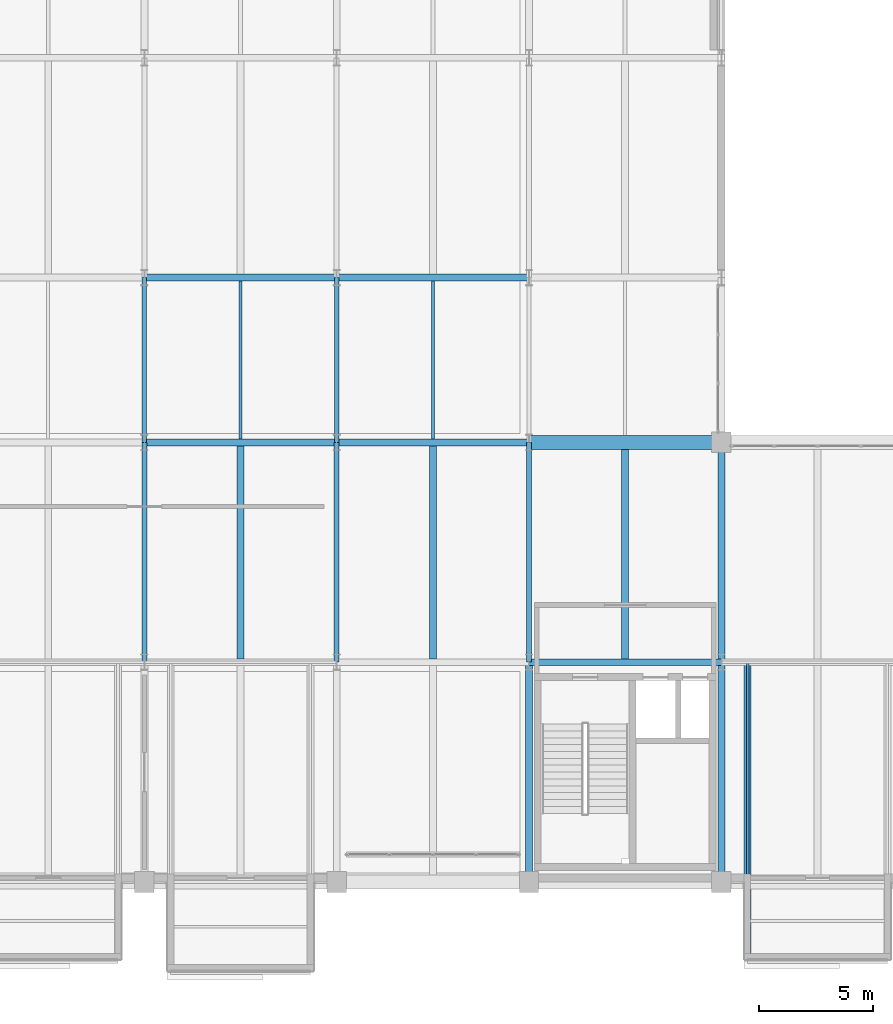
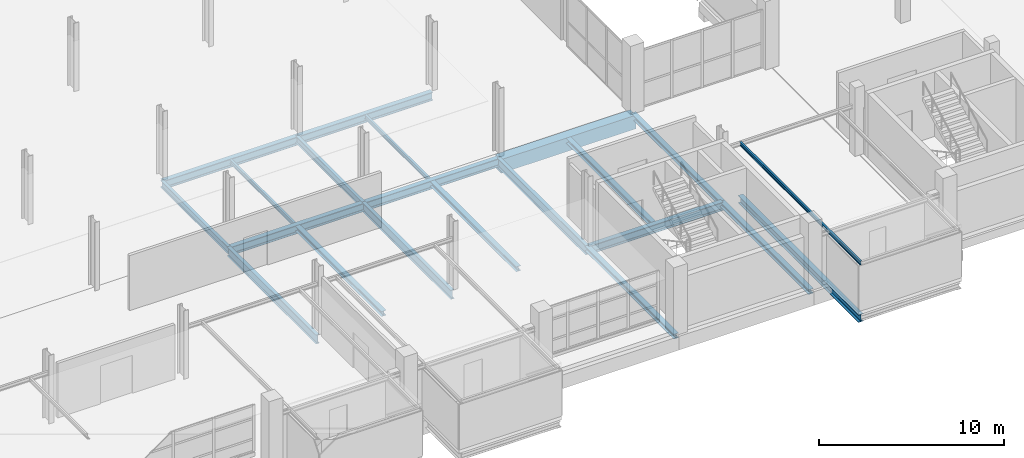
# One storey, part 29 of 113: 21 beams.
"""IFC4 building model written with IfcOpenShell, lengths in metres."""

from ifc_helpers import new_model, si_unit, direction, frame, origin, origin_2d, place, context, subcontext, project, spatial, rectangle, i_section, extrude, material, material_profile, profile_set, type_object, element, save


model = new_model("IFC4")

# Units and contexts
model_context = context("Model", 3, precision=1e-05, world=origin(), true_north=direction((0.0, 1.0)))
body_context = subcontext(model_context, "Body", "Model", "MODEL_VIEW")
ifc_project = project(units=[si_unit("LENGTHUNIT", "METRE"), si_unit("AREAUNIT", "SQUARE_METRE"), si_unit("VOLUMEUNIT", "CUBIC_METRE"), si_unit("PLANEANGLEUNIT", "RADIAN"), si_unit("MASSUNIT", "GRAM", prefix="KILO")], contexts=[model_context])

# Site, building, storey
site_placement = place(None, origin())
site = spatial("IfcSite", under=ifc_project, at=site_placement, CompositionType="ELEMENT")
building_placement = place(site_placement, origin())
building = spatial("IfcBuilding", under=site, at=building_placement, Name="Veltarok Museum of Natural Sciences", CompositionType="ELEMENT")
storey_placement = place(building_placement, frame((0.0, 0.0, 8.39990234375)))
storey = spatial("IfcBuildingStorey", under=building, at=storey_placement, Name="L01", CompositionType="ELEMENT", Elevation=8.39990234375)

# Beams
ifc_material_1 = material(Name="Steel S355J2", Category="steel")
ifc_material_profile_1 = material_profile(ifc_material_1, i_section(OverallWidth=0.300048828125, OverallDepth=0.5, WebThickness=0.014404296875, FlangeThickness=0.028076171875, FilletRadius=0.027099609375, at=origin_2d()), Name="HEB 500")
ifc_profile_set_1 = profile_set([ifc_material_profile_1], Name="Steel S355J2")
beam_type_1 = type_object("IfcBeamType", Name="Cabinet Box Cantilever Girder HEB 500", PredefinedType="BEAM", material=ifc_profile_set_1)
beam_1_placement = place(storey_placement, frame((99.949951171875, -3.39990234375, -0.5), z_axis=(0.0, 1.0, 0.0), x_axis=(-1.0, 0.0, 0.0)))
element("IfcBeam", 1, at=beam_1_placement, inside=storey, type_object=beam_type_1, Name="Cabinet Cantilever Girder DB-05-1", PredefinedType="BEAM", context=body_context, shape_type="SweptSolid", body=[
    extrude(i_section(OverallWidth=0.300048828125, OverallDepth=0.5, WebThickness=0.014404296875, FlangeThickness=0.028076171875, FilletRadius=0.027099609375, at=origin_2d()), origin(), (0.0, 0.0, 1.0), 13.0),
])
ifc_material_profile_2 = material_profile(ifc_material_1, i_section(OverallWidth=0.1201171875, OverallDepth=0.239990234375, WebThickness=0.006103515625, FlangeThickness=0.009765625, FilletRadius=0.014892578125, at=origin_2d()), Name="IPE 240")
ifc_profile_set_2 = profile_set([ifc_material_profile_2], Name="Steel S355J2")
beam_type_2 = type_object("IfcBeamType", Name="Cabinet Box Secondary Joist IPE 240", PredefinedType="JOIST", material=ifc_profile_set_2)
beam_2_placement = place(storey_placement, frame((99.949951171875, -3.39990234375, 3.130126953125), z_axis=(0.0, 1.0, 0.0), x_axis=(-1.0, 0.0, 0.0)))
element("IfcBeam", 2, at=beam_2_placement, inside=storey, type_object=beam_type_2, Name="Cabinet Roof Rafter DB-05-1", PredefinedType="JOIST", context=body_context, shape_type="SweptSolid", body=[
    extrude(i_section(OverallWidth=0.1201171875, OverallDepth=0.239990234375, WebThickness=0.006103515625, FlangeThickness=0.009765625, FilletRadius=0.014892578125, at=origin_2d()), origin(), (0.0, 0.0, 1.0), 13.0),
])
ifc_material_profile_3 = material_profile(ifc_material_1, i_section(OverallWidth=0.300048828125, OverallDepth=0.330078125, WebThickness=0.009521484375, FlangeThickness=0.0166015625, FilletRadius=0.027099609375, at=origin_2d()), Name="HEA 340")
ifc_profile_set_3 = profile_set([ifc_material_profile_3], Name="Steel S355J2")
beam_type_3 = type_object("IfcBeamType", Name="Exhibition Floor Joist HEA 340", PredefinedType="JOIST", material=ifc_profile_set_3)
for number, where, z_axis, x_axis, name in (
    (3, (77.800048828125, 9.748046875, -0.414794921875), (0.0, 1.0, 0.0), (-1.0, 0.0, 0.0), "Secondary Joist BM-J08 L01 9-10/B-C.1"),
    (4, (86.199951171875, 9.748046875, -0.414794921875), (0.0, 1.0, 0.0), (-1.0, 0.0, 0.0), "Secondary Joist BM-J08 L01 10-11/B-C.1"),
):
    element("IfcBeam", number, at=place(storey_placement, frame(where, z_axis=z_axis, x_axis=x_axis)), inside=storey, type_object=beam_type_3, Name=name, PredefinedType="JOIST", context=body_context, shape_type="SweptSolid", body=[
        extrude(i_section(OverallWidth=0.300048828125, OverallDepth=0.330078125, WebThickness=0.009521484375, FlangeThickness=0.0166015625, FilletRadius=0.027099609375, at=origin_2d()), origin(), (0.0, 0.0, 1.0), 9.303955078125),
    ])
beam_3_placement = place(storey_placement, frame((94.60009765625, 9.748046875, -0.414794921875), z_axis=(0.0, 1.0, 0.0), x_axis=(-1.0, 0.0, 0.0)))
element("IfcBeam", 5, at=beam_3_placement, inside=storey, type_object=beam_type_3, Name="Secondary Joist BM-J08 L01 11-12/B-C.1", PredefinedType="JOIST", context=body_context, shape_type="SweptSolid", body=[
    extrude(i_section(OverallWidth=0.300048828125, OverallDepth=0.330078125, WebThickness=0.009521484375, FlangeThickness=0.0166015625, FilletRadius=0.027099609375, at=origin_2d()), origin(), (0.0, 0.0, 1.0), 9.154052734375),
])
ifc_material_2 = material(Name="Concrete C40/50", Category="concrete")
ifc_material_profile_4 = material_profile(ifc_material_2, rectangle(XDim=0.60009765625, YDim=0.89990234375, at=origin_2d()), Name="RC 600x900")
ifc_profile_set_4 = profile_set([ifc_material_profile_4], Name="Concrete C40/50")
beam_type_4 = type_object("IfcBeamType", Name="Exposed Cabinet Perimeter Spandrel RC 600x900", PredefinedType="SPANDREL", material=ifc_profile_set_4)
beam_4_placement = place(storey_placement, frame((90.39990234375, 19.199951171875, -0.699951171875), z_axis=(1.0, 0.0, 0.0), x_axis=(0.0, 1.0, 0.0)))
element("IfcBeam", 6, at=beam_4_placement, inside=storey, type_object=beam_type_4, Name="Beam BM-SP01 L01 11-12/C", PredefinedType="SPANDREL", context=body_context, shape_type="SweptSolid", body=[
    extrude(rectangle(XDim=0.60009765625, YDim=0.89990234375, at=origin_2d()), origin(), (0.0, 0.0, 1.0), 8.400146484375),
])
ifc_material_profile_5 = material_profile(ifc_material_1, i_section(OverallWidth=0.300048828125, OverallDepth=0.550048828125, WebThickness=0.014892578125, FlangeThickness=0.029052734375, FilletRadius=0.027099609375, at=origin_2d()), Name="HEB 550")
ifc_profile_set_5 = profile_set([ifc_material_profile_5], Name="Steel S355J2")
beam_type_5 = type_object("IfcBeamType", Name="Gallery Girder HEB 550", PredefinedType="BEAM", material=ifc_profile_set_5)
beam_5_placement = place(storey_placement, frame((90.39990234375, 9.60009765625, -0.52490234375), z_axis=(1.0, 0.0, 0.0), x_axis=(0.0, 1.0, 0.0)))
element("IfcBeam", 7, at=beam_5_placement, inside=storey, type_object=beam_type_5, Name="Beam BM-G10 L01 11-12/B", PredefinedType="BEAM", context=body_context, shape_type="SweptSolid", body=[
    extrude(i_section(OverallWidth=0.300048828125, OverallDepth=0.550048828125, WebThickness=0.014892578125, FlangeThickness=0.029052734375, FilletRadius=0.027099609375, at=origin_2d()), origin(), (0.0, 0.0, 1.0), 8.400146484375),
])
for number, where, z_axis, x_axis, name in (
    (8, (73.60009765625, 19.199951171875, -0.52490234375), (1.0, 0.0, 0.0), (0.0, 1.0, 0.0), "Beam BM-G10 L01 9-10/C"),
    (9, (82.0, 19.199951171875, -0.52490234375), (1.0, 0.0, 0.0), (0.0, 1.0, 0.0), "Beam BM-G10 L01 10-11/C"),
    (10, (73.60009765625, 26.39990234375, -0.52490234375), (1.0, 0.0, 0.0), (0.0, 1.0, 0.0), "Beam BM-G10 L01 9-10/D"),
    (11, (82.0, 26.39990234375, -0.52490234375), (1.0, 0.0, 0.0), (0.0, 1.0, 0.0), "Beam BM-G10 L01 10-11/D"),
):
    element("IfcBeam", number, at=place(storey_placement, frame(where, z_axis=z_axis, x_axis=x_axis)), inside=storey, type_object=beam_type_5, Name=name, PredefinedType="BEAM", context=body_context, shape_type="SweptSolid", body=[
        extrude(i_section(OverallWidth=0.300048828125, OverallDepth=0.550048828125, WebThickness=0.014892578125, FlangeThickness=0.029052734375, FilletRadius=0.027099609375, at=origin_2d()), origin(), (0.0, 0.0, 1.0), 8.39990234375),
    ])
ifc_material_profile_6 = material_profile(ifc_material_1, i_section(OverallWidth=0.18994140625, OverallDepth=0.449951171875, WebThickness=0.009521484375, FlangeThickness=0.0146484375, FilletRadius=0.02099609375, at=origin_2d()), Name="IPE 450")
ifc_profile_set_6 = profile_set([ifc_material_profile_6], Name="Steel S355J2")
beam_type_6 = type_object("IfcBeamType", Name="Laboratory Floor Girder IPE 450", PredefinedType="BEAM", material=ifc_profile_set_6)
for number, where, z_axis, x_axis, name in (
    (12, (73.60009765625, 19.199951171875, -0.474853515625), (0.0, 1.0, 0.0), (-1.0, 0.0, 0.0), "Beam BM-G05 L01 9/C-D"),
    (13, (82.0, 19.199951171875, -0.474853515625), (0.0, 1.0, 0.0), (-1.0, 0.0, 0.0), "Beam BM-G05 L01 10/C-D"),
):
    element("IfcBeam", number, at=place(storey_placement, frame(where, z_axis=z_axis, x_axis=x_axis)), inside=storey, type_object=beam_type_6, Name=name, PredefinedType="BEAM", context=body_context, shape_type="SweptSolid", body=[
        extrude(i_section(OverallWidth=0.18994140625, OverallDepth=0.449951171875, WebThickness=0.009521484375, FlangeThickness=0.0146484375, FilletRadius=0.02099609375, at=origin_2d()), origin(), (0.0, 0.0, 1.0), 7.199951171875),
    ])
ifc_material_profile_7 = material_profile(ifc_material_1, i_section(OverallWidth=0.300048828125, OverallDepth=0.320068359375, WebThickness=0.011474609375, FlangeThickness=0.0205078125, FilletRadius=0.027099609375, at=origin_2d()), Name="HEB 320")
ifc_profile_set_7 = profile_set([ifc_material_profile_7], Name="Steel S355J2")
beam_type_7 = type_object("IfcBeamType", Name="Perimeter Sawtooth Spandrel HEB 320", PredefinedType="SPANDREL", material=ifc_profile_set_7)
for number, where, z_axis, x_axis, name in (
    (14, (90.39990234375, 0.0, -0.409912109375), (0.0, 1.0, 0.0), (-1.0, 0.0, 0.0), "Beam BM-SP06 L01 11/A-B"),
    (15, (98.800048828125, 0.0, -0.409912109375), (0.0, 1.0, 0.0), (-1.0, 0.0, 0.0), "Beam BM-SP06 L01 12/A-B"),
):
    element("IfcBeam", number, at=place(storey_placement, frame(where, z_axis=z_axis, x_axis=x_axis)), inside=storey, type_object=beam_type_7, Name=name, PredefinedType="SPANDREL", context=body_context, shape_type="SweptSolid", body=[
        extrude(i_section(OverallWidth=0.300048828125, OverallDepth=0.320068359375, WebThickness=0.011474609375, FlangeThickness=0.0205078125, FilletRadius=0.027099609375, at=origin_2d()), origin(), (0.0, 0.0, 1.0), 9.60009765625),
    ])
beam_6_placement = place(storey_placement, frame((98.800048828125, 9.60009765625, -0.409912109375), z_axis=(0.0, 1.0, 0.0), x_axis=(-1.0, 0.0, 0.0)))
element("IfcBeam", 16, at=beam_6_placement, inside=storey, type_object=beam_type_7, Name="Beam BM-SP06 L01 12/B-C", PredefinedType="SPANDREL", context=body_context, shape_type="SweptSolid", body=[
    extrude(i_section(OverallWidth=0.300048828125, OverallDepth=0.320068359375, WebThickness=0.011474609375, FlangeThickness=0.0205078125, FilletRadius=0.027099609375, at=origin_2d()), origin(), (0.0, 0.0, 1.0), 9.599853515625),
])
ifc_material_profile_8 = material_profile(ifc_material_1, i_section(OverallWidth=0.219970703125, OverallDepth=0.60009765625, WebThickness=0.011962890625, FlangeThickness=0.01904296875, FilletRadius=0.02392578125, at=origin_2d()), Name="IPE 600")
ifc_profile_set_8 = profile_set([ifc_material_profile_8], Name="Steel S355J2")
beam_type_8 = type_object("IfcBeamType", Name="Primary Museum Girder IPE 600", PredefinedType="BEAM", material=ifc_profile_set_8)
for number, where, z_axis, x_axis, name in (
    (17, (73.60009765625, 9.60009765625, -0.5498046875), (0.0, 1.0, 0.0), (-1.0, 0.0, 0.0), "Beam BM-G02 L01 9/B-C"),
    (18, (82.0, 9.60009765625, -0.5498046875), (0.0, 1.0, 0.0), (-1.0, 0.0, 0.0), "Beam BM-G02 L01 10/B-C"),
    (19, (90.39990234375, 9.60009765625, -0.5498046875), (0.0, 1.0, 0.0), (-1.0, 0.0, 0.0), "Beam BM-G02 L01 11/B-C"),
):
    element("IfcBeam", number, at=place(storey_placement, frame(where, z_axis=z_axis, x_axis=x_axis)), inside=storey, type_object=beam_type_8, Name=name, PredefinedType="BEAM", context=body_context, shape_type="SweptSolid", body=[
        extrude(i_section(OverallWidth=0.219970703125, OverallDepth=0.60009765625, WebThickness=0.011962890625, FlangeThickness=0.01904296875, FilletRadius=0.02392578125, at=origin_2d()), origin(), (0.0, 0.0, 1.0), 9.599853515625),
    ])
ifc_material_profile_9 = material_profile(ifc_material_1, i_section(OverallWidth=0.135009765625, OverallDepth=0.27001953125, WebThickness=0.006591796875, FlangeThickness=0.01025390625, FilletRadius=0.014892578125, at=origin_2d()), Name="IPE 270")
ifc_profile_set_9 = profile_set([ifc_material_profile_9], Name="Steel S355J2")
beam_type_9 = type_object("IfcBeamType", Name="Short-Bay Composite Joist IPE 270", PredefinedType="JOIST", material=ifc_profile_set_9)
for number, where, z_axis, x_axis, name in (
    (20, (77.800048828125, 19.347900390625, -0.385009765625), (0.0, 1.0, 0.0), (-1.0, 0.0, 0.0), "Secondary Joist BM-J04 L01 9-10/C-D.1"),
    (21, (86.199951171875, 19.347900390625, -0.385009765625), (0.0, 1.0, 0.0), (-1.0, 0.0, 0.0), "Secondary Joist BM-J04 L01 10-11/C-D.1"),
):
    element("IfcBeam", number, at=place(storey_placement, frame(where, z_axis=z_axis, x_axis=x_axis)), inside=storey, type_object=beam_type_9, Name=name, PredefinedType="JOIST", context=body_context, shape_type="SweptSolid", body=[
        extrude(i_section(OverallWidth=0.135009765625, OverallDepth=0.27001953125, WebThickness=0.006591796875, FlangeThickness=0.01025390625, FilletRadius=0.014892578125, at=origin_2d()), origin(), (0.0, 0.0, 1.0), 6.904052734375),
    ])

save(model, "model.ifc")
